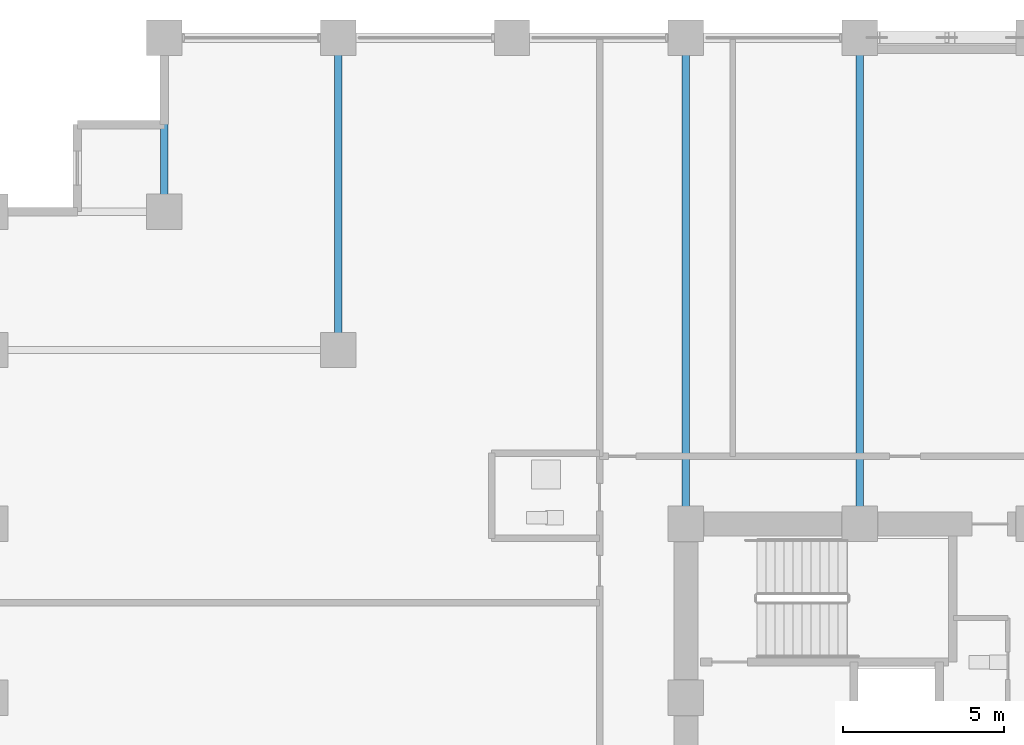
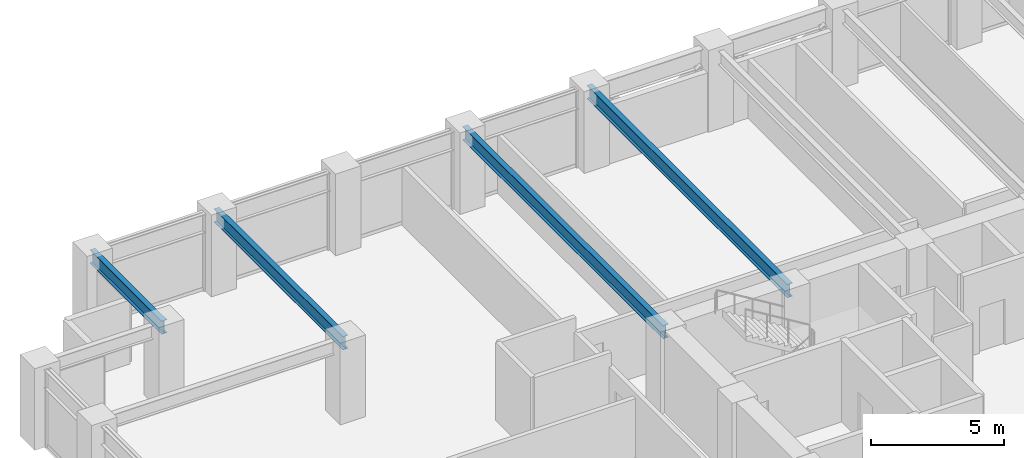
# One storey, part 13 of 29: 4 beams.
"""IFC4 building model written with IfcOpenShell, lengths in metres."""

import ifcopenshell
import ifcopenshell.guid

model = None  # the IFC model being written
_history = None  # IfcOwnerHistory: only IFC2X3 demands one
_inside = {}  # id of a spatial element -> (the spatial element, [elements in it])
_under = {}  # id of a project, library or spatial element -> (it, [spatial elements below it])
_declared = {}  # id of a project -> (the project, [libraries it declares])
_typed = {}  # id of a type object -> (the type object, [elements of that type])
_made_of = {}  # id of a material, layer set ... -> (it, [elements and type objects made of it])


def new_model(schema):
    """Start an empty IFC model of exactly this schema.

    Asked for "IFC4X3", IfcOpenShell would pick the latest addendum, in which some entities
    have other attributes; the version numbers below select the first issue.
    IFC2X3 requires an IfcOwnerHistory on every rooted entity: one is made here for all.
    """
    global model, _history
    if schema == "IFC4X3":
        model = ifcopenshell.file(schema_version=(4, 3, 0, 0))
    else:
        model = ifcopenshell.file(schema=schema)
    _inside.clear()
    _under.clear()
    _declared.clear()
    _typed.clear()
    _made_of.clear()
    _history = None
    if model.schema == "IFC2X3":
        org = make("IfcOrganization", Name="unknown")
        user = make(
            "IfcPersonAndOrganization",
            ThePerson=make("IfcPerson", FamilyName="unknown"),
            TheOrganization=org,
        )
        app = make(
            "IfcApplication",
            ApplicationDeveloper=org,
            Version="unknown",
            ApplicationFullName="unknown",
            ApplicationIdentifier="unknown",
        )
        _history = make(
            "IfcOwnerHistory",
            OwningUser=user,
            OwningApplication=app,
            ChangeAction="ADDED",
            CreationDate=0,
        )
    return model


def make(cls, **values):
    """One entity of the class cls with the attributes given. An attribute that is None is left unset."""
    return model.create_entity(
        cls, **{name: value for name, value in values.items() if value is not None}
    )


def rooted(cls, **values):
    """An entity with a GlobalId (a new one), such as an element, a storey or a relation."""
    return make(cls, GlobalId=ifcopenshell.guid.new(), OwnerHistory=_history, **values)


def si_unit(unit_type, name, prefix=None):
    """IfcSIUnit, for example si_unit("LENGTHUNIT", "METRE", prefix="MILLI")."""
    return make("IfcSIUnit", UnitType=unit_type, Prefix=prefix, Name=name)


def assignment(units):
    """IfcUnitAssignment: the units of a project."""
    return None if units is None else make("IfcUnitAssignment", Units=units)


def point(xyz):
    """IfcCartesianPoint."""
    return None if xyz is None else make("IfcCartesianPoint", Coordinates=xyz)


def direction(xyz):
    """IfcDirection."""
    return None if xyz is None else make("IfcDirection", DirectionRatios=xyz)


def frame(location, z_axis=None, x_axis=None):
    """IfcAxis2Placement3D, a coordinate frame: its origin and axes. An axis left out is left unset."""
    return make(
        "IfcAxis2Placement3D",
        Location=point(location),
        Axis=direction(z_axis),
        RefDirection=direction(x_axis),
    )


def frame_2d(location, x_axis=None):
    """IfcAxis2Placement2D, a coordinate frame in the plane: its origin and x axis."""
    return make(
        "IfcAxis2Placement2D", Location=point(location), RefDirection=direction(x_axis)
    )


def origin():
    """The frame at (0, 0, 0) with its axes left unset."""
    return frame((0.0, 0.0, 0.0))


def origin_2d():
    """The frame at (0, 0) in the plane with its x axis left unset."""
    return frame_2d((0.0, 0.0))


def place(relative_to, where):
    """IfcLocalPlacement: puts the frame where relative to a parent placement (None: the world)."""
    return make(
        "IfcLocalPlacement", PlacementRelTo=relative_to, RelativePlacement=where
    )


def context(
    kind, dimensions, precision=None, world=None, true_north=None, identifier=None
):
    """IfcGeometricRepresentationContext, for example the 3D "Model" context."""
    return make(
        "IfcGeometricRepresentationContext",
        ContextIdentifier=identifier,
        ContextType=kind,
        CoordinateSpaceDimension=dimensions,
        Precision=precision,
        WorldCoordinateSystem=world,
        TrueNorth=true_north,
    )


def subcontext(parent, identifier, kind, view, scale=None):
    """IfcGeometricRepresentationSubContext, for example "Body" below "Model"."""
    return make(
        "IfcGeometricRepresentationSubContext",
        ContextIdentifier=identifier,
        ContextType=kind,
        ParentContext=parent,
        TargetScale=scale,
        TargetView=view,
    )


def project(units=None, contexts=None):
    """IfcProject with its units and contexts."""
    return rooted(
        "IfcProject",
        Name="project",
        RepresentationContexts=contexts,
        UnitsInContext=assignment(units),
    )


def spatial(cls, under=None, at=None, **own):
    """A site, building, storey or space (cls), placed at a placement, below another one or the project."""
    s = rooted(cls, ObjectPlacement=at, **own)
    if under is not None:
        _under.setdefault(under.id(), (under, []))[1].append(s)
    return s


def profile(cls, at=None, kind="AREA", **sizes):
    """A parametric profile (cls). Its sizes go by their IFC names, for example OverallWidth=200.0."""
    return make(cls, ProfileType=kind, Position=at, **sizes)


def i_section(**sizes):
    """IfcIShapeProfileDef."""
    return profile("IfcIShapeProfileDef", **sizes)


def extrude(swept, where, along, depth):
    """IfcExtrudedAreaSolid: the profile swept, set in the frame where, extruded along a direction by depth."""
    return make(
        "IfcExtrudedAreaSolid",
        SweptArea=swept,
        Position=where,
        ExtrudedDirection=direction(along),
        Depth=depth,
    )


def shape(context_of_items, identifier, shape_type, items):
    """IfcShapeRepresentation: the items that make up one representation, for example the "Body"."""
    return make(
        "IfcShapeRepresentation",
        ContextOfItems=context_of_items,
        RepresentationIdentifier=identifier,
        RepresentationType=shape_type,
        Items=items,
    )


def material(Name=None, Category=None):
    """IfcMaterial."""
    return make("IfcMaterial", Name=Name, Category=Category)


def material_profile(
    of_material, cross_section, Name=None, Category=None, Priority=None
):
    """IfcMaterialProfile: a cross section and its material."""
    return make(
        "IfcMaterialProfile",
        Name=Name,
        Material=of_material,
        Profile=cross_section,
        Priority=Priority,
        Category=Category,
    )


def profile_set(profiles, Name=None, composite=None):
    """IfcMaterialProfileSet."""
    return make(
        "IfcMaterialProfileSet",
        Name=Name,
        MaterialProfiles=profiles,
        CompositeProfile=composite,
    )


def made_of(thing, what):
    """Note that an element or type object is made of a material, layer set ...; save() writes the relation."""
    if what is not None:
        _made_of.setdefault(what.id(), (what, []))[1].append(thing)
    return thing


def type_object(cls, material=None, **own):
    """A type object (cls), such as IfcWallType, which elements share."""
    return made_of(rooted(cls, **own), material)


def element(
    cls,
    number,
    at=None,
    inside=None,
    cuts=None,
    type_object=None,
    material=None,
    context=None,
    identifier="Body",
    shape_type=None,
    held_by="IfcProductDefinitionShape",
    body=None,
    shapes=None,
    **own,
):
    """One element of the class cls, such as IfcWall. Its Tag is "e" and its number.

    at: its placement. inside: the storey or other place that contains it. cuts: it is an
    opening in that element (IfcRelVoidsElement). A single representation is given by context,
    identifier, shape_type and body (its items); several are given by shapes. held_by: the class
    of the entity that holds the representations. save() writes the other relations.
    """
    e = rooted(cls, Tag="e%d" % number, ObjectPlacement=at, **own)
    if body is not None:
        shapes = [shape(context, identifier, shape_type, body)]
    if shapes is not None:
        e.Representation = make(held_by, Representations=shapes)
    if inside is not None:
        _inside.setdefault(inside.id(), (inside, []))[1].append(e)
    if cuts is not None:
        rooted(
            "IfcRelVoidsElement", RelatingBuildingElement=cuts, RelatedOpeningElement=e
        )
    if type_object is not None:
        _typed.setdefault(type_object.id(), (type_object, []))[1].append(e)
    return made_of(e, material)


def aggregate(whole, parts):
    """IfcRelAggregates: a whole, such as a stair, and the parts it consists of."""
    return rooted("IfcRelAggregates", RelatingObject=whole, RelatedObjects=parts)


def save(model, path):
    """Write the relations noted so far, then the file.

    IfcRelAggregates (storeys below a building ...), IfcRelContainedInSpatialStructure (elements
    in a storey), IfcRelDefinesByType, IfcRelAssociatesMaterial and IfcRelDeclares: one each for
    every whole, place, type object, material and project.
    """
    for whole, parts in _under.values():
        aggregate(whole, parts)
    for where, things in _inside.values():
        rooted(
            "IfcRelContainedInSpatialStructure",
            RelatedElements=things,
            RelatingStructure=where,
        )
    for kind, things in _typed.values():
        rooted("IfcRelDefinesByType", RelatedObjects=things, RelatingType=kind)
    for what, things in _made_of.values():
        rooted("IfcRelAssociatesMaterial", RelatedObjects=things, RelatingMaterial=what)
    for by, libraries in _declared.values():
        rooted("IfcRelDeclares", RelatingContext=by, RelatedDefinitions=libraries)
    model.write(path)


model = new_model("IFC4")

# Units and contexts
model_context = context("Model", 3, precision=1e-05, world=origin(), true_north=direction((0.0, 1.0)))
body_context = subcontext(model_context, "Body", "Model", "MODEL_VIEW")
ifc_project = project(units=[si_unit("LENGTHUNIT", "METRE"), si_unit("AREAUNIT", "SQUARE_METRE"), si_unit("VOLUMEUNIT", "CUBIC_METRE"), si_unit("PLANEANGLEUNIT", "RADIAN"), si_unit("MASSUNIT", "GRAM", prefix="KILO")], contexts=[model_context])

# Site, building, storey
site_placement = place(None, origin())
site = spatial("IfcSite", under=ifc_project, at=site_placement, CompositionType="ELEMENT")
building_placement = place(site_placement, origin())
building = spatial("IfcBuilding", under=site, at=building_placement, Name="Surkhivell Harbour Commons", CompositionType="ELEMENT")
storey_placement = place(building_placement, frame((0.0, 0.0, 87.0)))
storey = spatial("IfcBuildingStorey", under=building, at=storey_placement, Name="L22", CompositionType="ELEMENT", Elevation=87.0)

# Beams
ifc_material = material(Name="Steel S355", Category="steel")
ifc_material_profile = material_profile(ifc_material, i_section(OverallWidth=0.22998046875, OverallDepth=0.616943359375, WebThickness=0.01318359375, FlangeThickness=0.022216796875, at=origin_2d()), Name="UB610x229x140")
ifc_profile_set = profile_set([ifc_material_profile], Name="Steel S355")
beam_type = type_object("IfcBeamType", Name="BM-GRD-610B", PredefinedType="BEAM", material=ifc_profile_set)
beam_1_placement = place(storey_placement, frame((-27.0, 20.5, 3.261474609375), z_axis=(0.0, 1.0, 0.0), x_axis=(-1.0, 0.0, 0.0)))
element("IfcBeam", 1, at=beam_1_placement, inside=storey, type_object=beam_type, Name="L22 Floor Girder (-27.0,20.5)", PredefinedType="BEAM", context=body_context, shape_type="SweptSolid", body=[
    extrude(i_section(OverallWidth=0.22998046875, OverallDepth=0.616943359375, WebThickness=0.01318359375, FlangeThickness=0.022216796875, at=origin_2d()), origin(), (0.0, 0.0, 1.0), 5.39990234375),
])
beam_2_placement = place(storey_placement, frame((-21.60009765625, 16.199951171875, 3.261474609375), z_axis=(0.0, 1.0, 0.0), x_axis=(-1.0, 0.0, 0.0)))
element("IfcBeam", 2, at=beam_2_placement, inside=storey, type_object=beam_type, Name="L22 Floor Girder (-21.6,16.2)", PredefinedType="BEAM", context=body_context, shape_type="SweptSolid", body=[
    extrude(i_section(OverallWidth=0.22998046875, OverallDepth=0.616943359375, WebThickness=0.01318359375, FlangeThickness=0.022216796875, at=origin_2d()), origin(), (0.0, 0.0, 1.0), 9.699951171875),
])
for number, where, z_axis, x_axis, name in (
    (3, (-10.800048828125, 10.800048828125, 3.261474609375), (0.0, 1.0, 0.0), (-1.0, 0.0, 0.0), "L22 Floor Girder (-10.8,10.8)"),
    (4, (-5.39990234375, 10.800048828125, 3.261474609375), (0.0, 1.0, 0.0), (-1.0, 0.0, 0.0), "L22 Floor Girder (-5.4,10.8)"),
):
    element("IfcBeam", number, at=place(storey_placement, frame(where, z_axis=z_axis, x_axis=x_axis)), inside=storey, type_object=beam_type, Name=name, PredefinedType="BEAM", context=body_context, shape_type="SweptSolid", body=[
        extrude(i_section(OverallWidth=0.22998046875, OverallDepth=0.616943359375, WebThickness=0.01318359375, FlangeThickness=0.022216796875, at=origin_2d()), origin(), (0.0, 0.0, 1.0), 15.099853515625),
    ])

save(model, "model.ifc")
